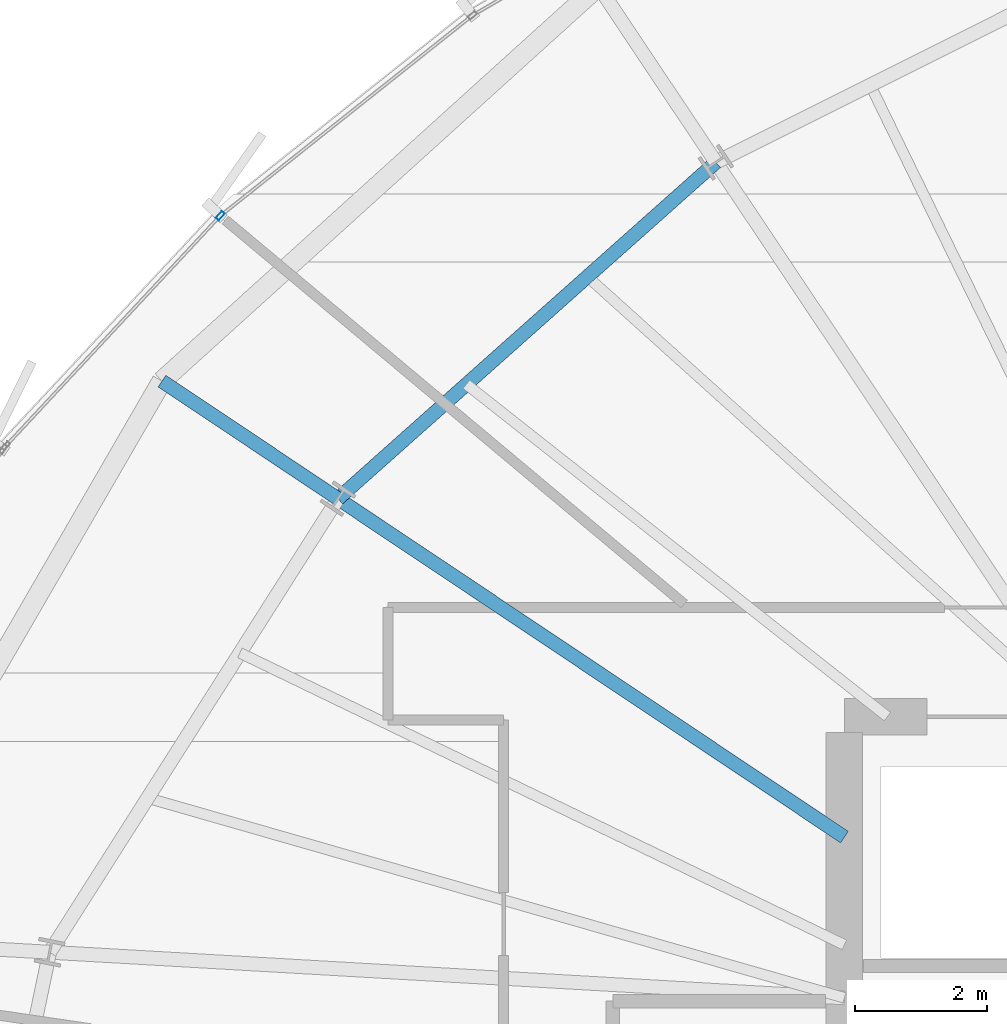
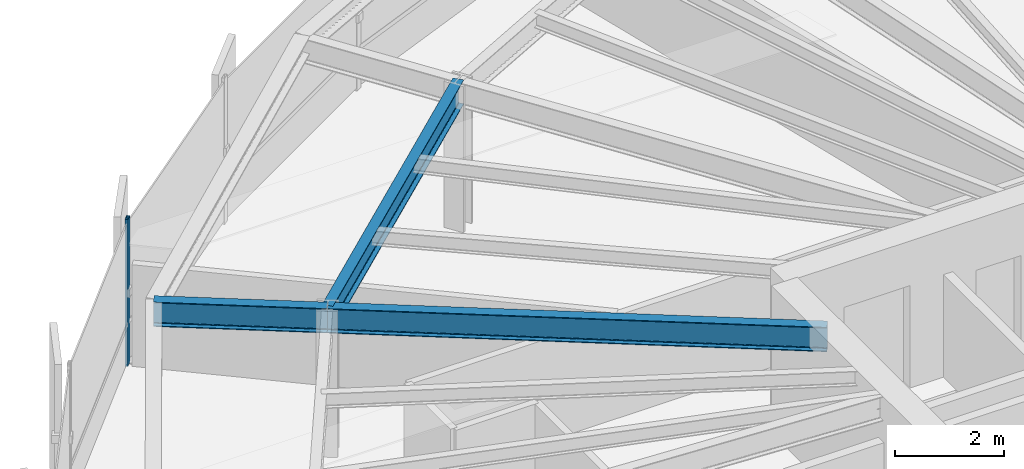
# One storey, part 19 of 35: 3 beams, 1 member, 1 element without a shape of its own.
"""IFC4 building model written with IfcOpenShell, lengths in metres."""

from ifc_helpers import new_model, si_unit, direction, frame, origin, origin_2d, place, context, subcontext, project, spatial, hollow_rectangle, i_section, extrude, source, transform, mapped, material, layer, layer_set, material_profile, profile_set, type_object, element, aggregate, save


model = new_model("IFC4")

# Units and contexts
model_context = context("Model", 3, precision=1e-05, world=origin(), true_north=direction((0.0, 1.0)))
body_context = subcontext(model_context, "Body", "Model", "MODEL_VIEW")
ifc_project = project(units=[si_unit("LENGTHUNIT", "METRE"), si_unit("AREAUNIT", "SQUARE_METRE"), si_unit("VOLUMEUNIT", "CUBIC_METRE"), si_unit("PLANEANGLEUNIT", "RADIAN"), si_unit("MASSUNIT", "GRAM", prefix="KILO"), si_unit("THERMODYNAMICTEMPERATUREUNIT", "KELVIN")], contexts=[model_context])

# Site, building, storey
site_placement = place(None, origin())
site = spatial("IfcSite", under=ifc_project, at=site_placement, CompositionType="ELEMENT")
building_placement = place(site_placement, origin())
building = spatial("IfcBuilding", under=site, at=building_placement, Name="Kethvar Cultural Tower", CompositionType="ELEMENT")
storey_placement = place(building_placement, frame((0.0, 0.0, 139.449951171875)))
storey = spatial("IfcBuildingStorey", under=building, at=storey_placement, Name="L35", CompositionType="ELEMENT", Elevation=139.449951171875)

# Beams
ifc_material_1 = material(Name="Steel S355J2", Category="steel")
ifc_material_profile_1 = material_profile(ifc_material_1, i_section(OverallWidth=0.2099609375, OverallDepth=0.550048828125, WebThickness=0.010986328125, FlangeThickness=0.01708984375, FilletRadius=0.02392578125, at=origin_2d()), Name="Steel S355J2 — IPE550")
ifc_profile_set_1 = profile_set([ifc_material_profile_1], Name="Steel S355J2 — IPE550")
beam_type = type_object("IfcBeamType", Name="BM-IPE550", PredefinedType="BEAM", material=ifc_profile_set_1)
shared_shape_1 = source(origin(), body_context, "Body", "SweptSolid", [
    extrude(i_section(OverallWidth=0.2099609375, OverallDepth=0.550048828125, WebThickness=0.010986328125, FlangeThickness=0.01708984375, FilletRadius=0.02392578125, at=origin_2d()), origin(), (0.0, 0.0, 1.0), 3.199951171875),
])
beam_1_placement = place(storey_placement, frame((30.345947265625, 38.794189453125, 3.02294921875), z_axis=(-0.831462943996, 0.555580212716, 0.0), x_axis=(-0.555580212716, -0.831462943996, 0.0)))
element("IfcBeam", 1, at=beam_1_placement, inside=storey, type_object=beam_type, Name="L35 Perimeter Cantilever Beam RC-07", PredefinedType="BEAM", context=body_context, shape_type="MappedRepresentation", body=[
    mapped(shared_shape_1, transform((0.0, 0.0, 0.0), scale=1.0)),
])
shared_shape_2 = source(origin(), body_context, "Body", "SweptSolid", [
    extrude(i_section(OverallWidth=0.2099609375, OverallDepth=0.550048828125, WebThickness=0.010986328125, FlangeThickness=0.01708984375, FilletRadius=0.02392578125, at=origin_2d()), origin(), (0.0, 0.0, 1.0), 9.205322265625),
])
beam_2_placement = place(storey_placement, frame((38.0, 33.679931640625, 3.02294921875), z_axis=(-0.831470451236, 0.555568977465, 0.0), x_axis=(-0.555568977465, -0.831470451236, 0.0)))
element("IfcBeam", 2, at=beam_2_placement, inside=storey, type_object=beam_type, Name="L35 Primary Radial Beam RB-07", PredefinedType="BEAM", context=body_context, shape_type="MappedRepresentation", body=[
    mapped(shared_shape_2, transform((0.0, 0.0, 0.0), scale=1.0)),
])
shared_shape_3 = source(origin(), body_context, "Body", "SweptSolid", [
    extrude(i_section(OverallWidth=0.2099609375, OverallDepth=0.550048828125, WebThickness=0.010986328125, FlangeThickness=0.01708984375, FilletRadius=0.02392578125, at=origin_2d()), origin(), (0.0, 0.0, 1.0), 7.64599609375),
])
beam_3_placement = place(storey_placement, frame((36.0576171875, 43.877197265625, 3.02294921875), z_axis=(-0.747021617367, -0.66479974668, 0.0), x_axis=(0.66479974668, -0.747021617367, 0.0)))
element("IfcBeam", 3, at=beam_3_placement, inside=storey, type_object=beam_type, Name="L35 Column Ring Tie Beam CR-06", PredefinedType="BEAM", context=body_context, shape_type="MappedRepresentation", body=[
    mapped(shared_shape_3, transform((0.0, 0.0, 0.0), scale=1.0)),
])

# Curtain wall, member
ifc_material_2 = material(Name="Aluminium 6063-T6", Category="aluminium")
ifc_layer = layer(ifc_material_2, 0.179931640625, Name="Aluminium 6063-T6", Category="aluminium")
ifc_layer_set = layer_set([ifc_layer], Name="Aluminium 6063-T6 (180 mm)")
curtain_wall_type = type_object("IfcCurtainWallType", Name="CW-SYS-04-Z34", PredefinedType="NOTDEFINED", material=ifc_layer_set)
curtain_wall_placement = place(storey_placement, origin())
curtain_wall = element("IfcCurtainWall", 4, at=curtain_wall_placement, inside=storey, type_object=curtain_wall_type, Name="L35 Curtain Wall Run 02", PredefinedType="NOTDEFINED")
ifc_material_profile_2 = material_profile(ifc_material_2, hollow_rectangle(XDim=0.06005859375, YDim=0.139892578125, WallThickness=0.0048828125, at=origin_2d()), Name="Aluminium 6063-T6 — RHS140x60x5")
ifc_profile_set_2 = profile_set([ifc_material_profile_2], Name="Aluminium 6063-T6 — RHS140x60x5")
member_type = type_object("IfcMemberType", Name="CW-SYS-04-Z34-MUL", PredefinedType="MULLION", material=ifc_profile_set_2)
shared_shape_4 = source(origin(), body_context, "Body", "SweptSolid", [
    extrude(hollow_rectangle(XDim=0.06005859375, YDim=0.139892578125, WallThickness=0.0048828125, at=origin_2d()), origin(), (0.0, 0.0, 1.0), 3.300048828125),
])
member_placement = place(storey_placement, frame((28.567138671875, 43.069580078125, 0.0), z_axis=(0.0, 0.0, 1.0), x_axis=(0.731591719395, -0.681743027916, 0.0)))
member = element("IfcMember", 5, at=member_placement, type_object=member_type, Name="CW-L35-R02 Mullion 6", PredefinedType="MULLION", context=body_context, shape_type="MappedRepresentation", body=[
    mapped(shared_shape_4, transform((0.0, 0.0, 0.0), scale=1.0)),
])
aggregate(curtain_wall, [member])

save(model, "model.ifc")
